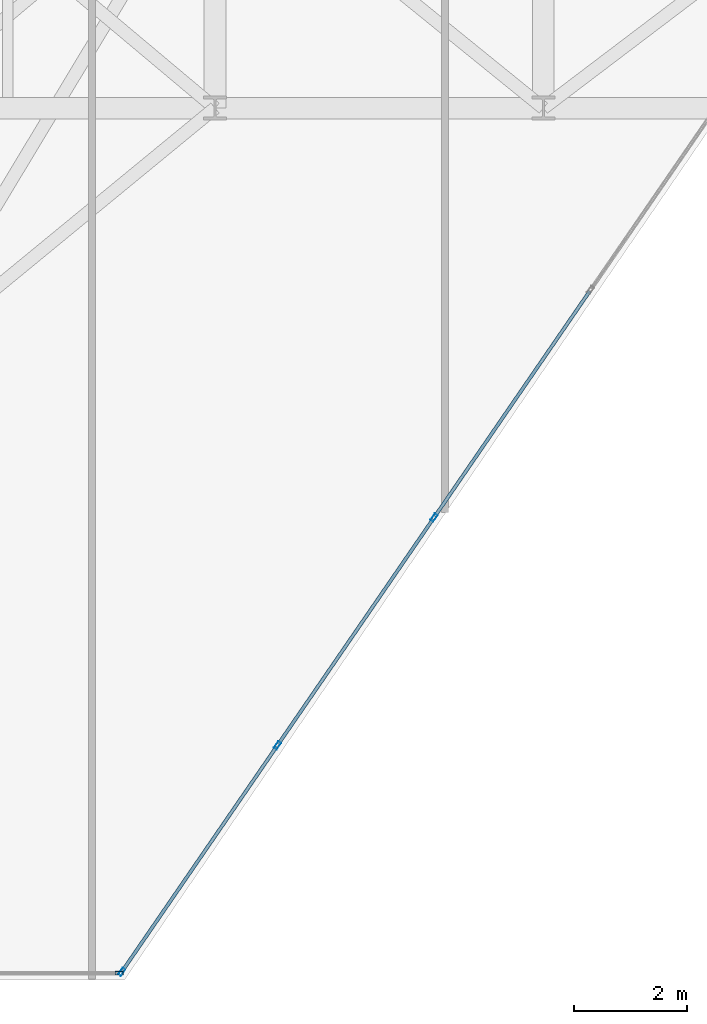
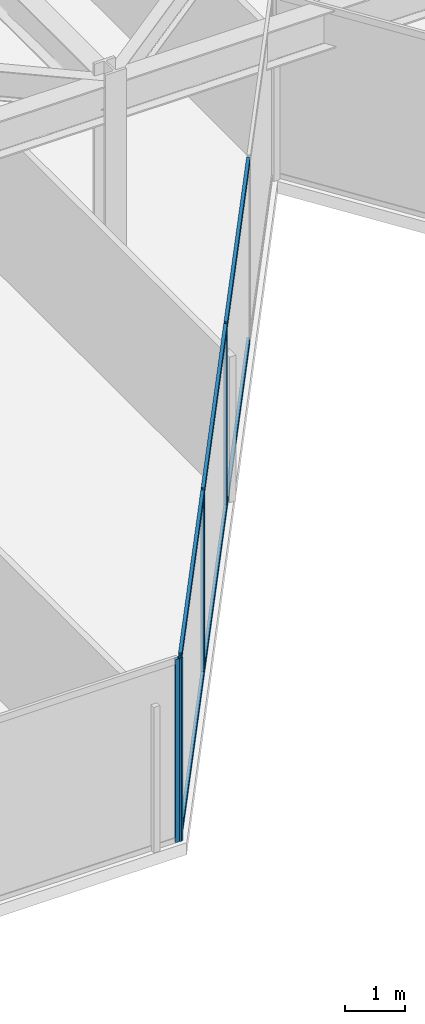
# One storey, part 6 of 27: 10 members, 2 elements without a shape of their own.
"""IFC4 building model written with IfcOpenShell, lengths in metres."""

from ifc_helpers import new_model, si_unit, direction, frame, origin, origin_2d, place, context, subcontext, project, spatial, hollow_rectangle, extrude, material, layer, layer_set, material_profile, profile_set, type_object, element, aggregate, save


model = new_model("IFC4")

# Units and contexts
model_context = context("Model", 3, precision=1e-05, world=origin(), true_north=direction((0.0, 1.0)))
body_context = subcontext(model_context, "Body", "Model", "MODEL_VIEW")
ifc_project = project(units=[si_unit("LENGTHUNIT", "METRE"), si_unit("AREAUNIT", "SQUARE_METRE"), si_unit("VOLUMEUNIT", "CUBIC_METRE"), si_unit("PLANEANGLEUNIT", "RADIAN"), si_unit("MASSUNIT", "GRAM", prefix="KILO")], contexts=[model_context])

# Site, building, storey
site_placement = place(None, origin())
site = spatial("IfcSite", under=ifc_project, at=site_placement, CompositionType="ELEMENT")
building_placement = place(site_placement, origin())
building = spatial("IfcBuilding", under=site, at=building_placement, Name="Kravanh Interchange Tower", CompositionType="ELEMENT")
storey_placement = place(building_placement, frame((0.0, 0.0, 188.5)))
storey = spatial("IfcBuildingStorey", under=building, at=storey_placement, Name="L45", CompositionType="ELEMENT", Elevation=188.5)

# Curtain wall, members
ifc_material_1 = material(Name="Anodised Bronze Aluminium", Category="aluminium")
ifc_layer = layer(ifc_material_1, 0.179931640625)
ifc_layer_set = layer_set([ifc_layer], Name="Unitised Curtain Wall System CW-Z3 Upper Office")
curtain_wall_type = type_object("IfcCurtainWallType", Name="Unitised Curtain Wall System CW-Z3 Upper Office", PredefinedType="NOTDEFINED", material=ifc_layer_set)
curtain_wall_1_placement = place(storey_placement, origin())
curtain_wall_1 = element("IfcCurtainWall", 1, at=curtain_wall_1_placement, inside=storey, type_object=curtain_wall_type, Name="L45 Unitised Curtain Wall CW-L45-05", PredefinedType="NOTDEFINED")
ifc_material_2 = material(Name="Anodised Bronze Aluminium", Category="aluminium")
ifc_material_profile_1 = material_profile(ifc_material_2, hollow_rectangle(XDim=0.06005859375, YDim=0.139892578125, WallThickness=0.00390625, at=origin_2d()), Name="ALU60X140X4")
ifc_profile_set_1 = profile_set([ifc_material_profile_1], Name="Anodised Bronze Aluminium")
member_type_1 = type_object("IfcMemberType", Name="Curtain Wall Mullion ALU60X140X4 Bronze", PredefinedType="MULLION", material=ifc_profile_set_1)
member_1_placement = place(storey_placement, frame((36.66845703125, 19.56591796875, 0.0), z_axis=(0.0, 0.0, 1.0), x_axis=(0.824042223035, -0.566528388217, 0.0)))
member_1 = element("IfcMember", 2, at=member_1_placement, type_object=member_type_1, Name="CW-Z3 mullion 3", PredefinedType="MULLION", context=body_context, shape_type="SweptSolid", body=[
    extrude(hollow_rectangle(XDim=0.06005859375, YDim=0.139892578125, WallThickness=0.00390625, at=origin_2d()), origin(), (0.0, 0.0, 1.0), 3.7548828125),
])
member_2_placement = place(storey_placement, frame((33.902587890625, 15.54296875, 0.0), z_axis=(0.0, 0.0, 1.0), x_axis=(0.824042223035, -0.566528388217, 0.0)))
member_2 = element("IfcMember", 3, at=member_2_placement, type_object=member_type_1, Name="CW-Z3 mullion 4", PredefinedType="MULLION", context=body_context, shape_type="SweptSolid", body=[
    extrude(hollow_rectangle(XDim=0.06005859375, YDim=0.139892578125, WallThickness=0.00390625, at=origin_2d()), origin(), (0.0, 0.0, 1.0), 3.7548828125),
])
member_3_placement = place(storey_placement, frame((31.15380859375, 11.544677734375, 0.0), z_axis=(0.0, 0.0, 1.0), x_axis=(0.824042223035, -0.566528388217, 0.0)))
member_3 = element("IfcMember", 4, at=member_3_placement, type_object=member_type_1, Name="CW-Z3 mullion 5", PredefinedType="MULLION", context=body_context, shape_type="SweptSolid", body=[
    extrude(hollow_rectangle(XDim=0.06005859375, YDim=0.139892578125, WallThickness=0.00390625, at=origin_2d()), origin(), (0.0, 0.0, 1.0), 3.7548828125),
])

# Curtain wall, member
curtain_wall_2_placement = place(storey_placement, origin())
curtain_wall_2 = element("IfcCurtainWall", 5, at=curtain_wall_2_placement, inside=storey, type_object=curtain_wall_type, Name="L45 Unitised Curtain Wall CW-L45-06", PredefinedType="NOTDEFINED")
member_4_placement = place(storey_placement, frame((31.10693359375, 11.52001953125, 0.0), z_axis=(0.0, 0.0, 1.0), x_axis=(0.0, -1.0, 0.0)))
member_4 = element("IfcMember", 6, at=member_4_placement, type_object=member_type_1, Name="CW-Z3 mullion 1", PredefinedType="MULLION", context=body_context, shape_type="SweptSolid", body=[
    extrude(hollow_rectangle(XDim=0.06005859375, YDim=0.139892578125, WallThickness=0.00390625, at=origin_2d()), origin(), (0.0, 0.0, 1.0), 3.7548828125),
])
aggregate(curtain_wall_2, [member_4])

# Member
ifc_material_3 = material(Name="Anodised Bronze Aluminium", Category="aluminium")
ifc_material_profile_2 = material_profile(ifc_material_3, hollow_rectangle(XDim=0.06005859375, YDim=0.139892578125, WallThickness=0.00390625, at=origin_2d()), Name="ALU60X140X4")
ifc_profile_set_2 = profile_set([ifc_material_profile_2], Name="Anodised Bronze Aluminium")
member_type_2 = type_object("IfcMemberType", Name="Curtain Wall Transom ALU60X140X4 Bronze", PredefinedType="USERDEFINED", material=ifc_profile_set_2)
member_5_placement = place(storey_placement, frame((39.417236328125, 23.564208984375, 0.030029296875), z_axis=(-0.566503037389, -0.824059651135, 0.0), x_axis=(0.824059651135, -0.566503037389, 0.0)))
member_5 = element("IfcMember", 7, at=member_5_placement, type_object=member_type_2, Name="CW-Z3 transom 2.1", ObjectType="TRANSOM", PredefinedType="USERDEFINED", context=body_context, shape_type="SweptSolid", body=[
    extrude(hollow_rectangle(XDim=0.06005859375, YDim=0.139892578125, WallThickness=0.00390625, at=origin_2d()), origin(), (0.0, 0.0, 1.0), 4.822021484375),
])

member_6_placement = place(storey_placement, frame((39.417236328125, 23.564208984375, 3.72509765625), z_axis=(-0.566503037389, -0.824059651135, 0.0), x_axis=(0.824059651135, -0.566503037389, 0.0)))
member_6 = element("IfcMember", 8, at=member_6_placement, type_object=member_type_2, Name="CW-Z3 transom 2.2", ObjectType="TRANSOM", PredefinedType="USERDEFINED", context=body_context, shape_type="SweptSolid", body=[
    extrude(hollow_rectangle(XDim=0.06005859375, YDim=0.139892578125, WallThickness=0.00390625, at=origin_2d()), origin(), (0.0, 0.0, 1.0), 4.822021484375),
])

member_7_placement = place(storey_placement, frame((36.6513671875, 19.541259765625, 0.030029296875), z_axis=(-0.566503037389, -0.824059651135, 0.0), x_axis=(0.824059651135, -0.566503037389, 0.0)))
member_7 = element("IfcMember", 9, at=member_7_placement, type_object=member_type_2, Name="CW-Z3 transom 3.1", ObjectType="TRANSOM", PredefinedType="USERDEFINED", context=body_context, shape_type="SweptSolid", body=[
    extrude(hollow_rectangle(XDim=0.06005859375, YDim=0.139892578125, WallThickness=0.00390625, at=origin_2d()), origin(), (0.0, 0.0, 1.0), 4.822021484375),
])

member_8_placement = place(storey_placement, frame((36.6513671875, 19.541259765625, 3.72509765625), z_axis=(-0.566503037389, -0.824059651135, 0.0), x_axis=(0.824059651135, -0.566503037389, 0.0)))
member_8 = element("IfcMember", 10, at=member_8_placement, type_object=member_type_2, Name="CW-Z3 transom 3.2", ObjectType="TRANSOM", PredefinedType="USERDEFINED", context=body_context, shape_type="SweptSolid", body=[
    extrude(hollow_rectangle(XDim=0.06005859375, YDim=0.139892578125, WallThickness=0.00390625, at=origin_2d()), origin(), (0.0, 0.0, 1.0), 4.822021484375),
])

member_9_placement = place(storey_placement, frame((33.8857421875, 15.518310546875, 0.030029296875), z_axis=(-0.566518012045, -0.824049356549, 0.0), x_axis=(0.824049356549, -0.566518012045, 0.0)))
member_9 = element("IfcMember", 11, at=member_9_placement, type_object=member_type_2, Name="CW-Z3 transom 4.1", ObjectType="TRANSOM", PredefinedType="USERDEFINED", context=body_context, shape_type="SweptSolid", body=[
    extrude(hollow_rectangle(XDim=0.06005859375, YDim=0.139892578125, WallThickness=0.00390625, at=origin_2d()), origin(), (0.0, 0.0, 1.0), 4.792236328125),
])

member_10_placement = place(storey_placement, frame((33.8857421875, 15.518310546875, 3.72509765625), z_axis=(-0.566518012045, -0.824049356549, 0.0), x_axis=(0.824049356549, -0.566518012045, 0.0)))
member_10 = element("IfcMember", 12, at=member_10_placement, type_object=member_type_2, Name="CW-Z3 transom 4.2", ObjectType="TRANSOM", PredefinedType="USERDEFINED", context=body_context, shape_type="SweptSolid", body=[
    extrude(hollow_rectangle(XDim=0.06005859375, YDim=0.139892578125, WallThickness=0.00390625, at=origin_2d()), origin(), (0.0, 0.0, 1.0), 4.792236328125),
])

aggregate(curtain_wall_1, [member_1, member_2, member_3, member_5, member_6, member_7, member_8, member_9, member_10])

save(model, "model.ifc")
